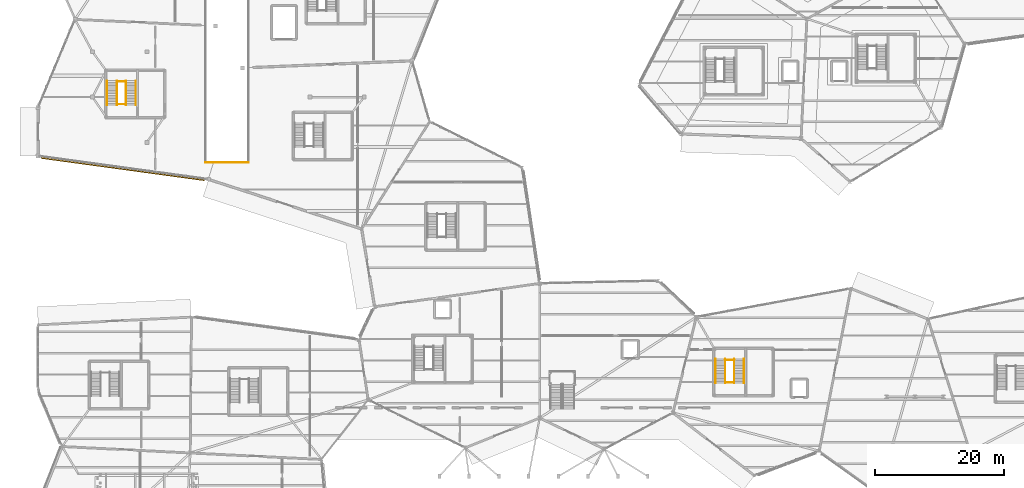
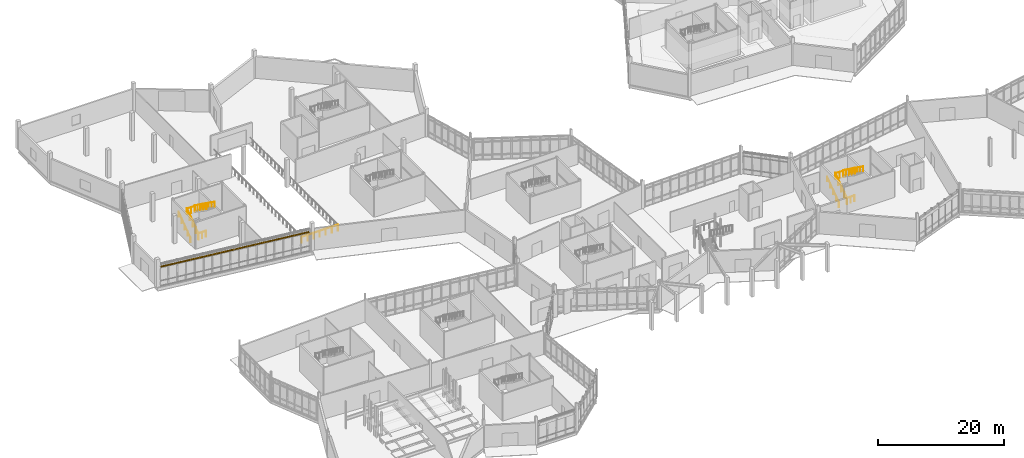
# One storey, part 111 of 113: 13 railings, 1 shading device.
"""IFC4 building model written with IfcOpenShell, lengths in metres."""

from ifc_helpers import new_model, si_unit, direction, frame, origin, origin_2d, place, context, subcontext, project, spatial, rectangle, circle, extrude, material, layer, layer_set, type_object, element, save


model = new_model("IFC4")

# Units and contexts
model_context = context("Model", 3, precision=1e-05, world=origin(), true_north=direction((0.0, 1.0)))
body_context = subcontext(model_context, "Body", "Model", "MODEL_VIEW")
ifc_project = project(units=[si_unit("LENGTHUNIT", "METRE"), si_unit("AREAUNIT", "SQUARE_METRE"), si_unit("VOLUMEUNIT", "CUBIC_METRE"), si_unit("PLANEANGLEUNIT", "RADIAN"), si_unit("MASSUNIT", "GRAM", prefix="KILO")], contexts=[model_context])

# Site, building, storey
site_placement = place(None, origin())
site = spatial("IfcSite", under=ifc_project, at=site_placement, CompositionType="ELEMENT")
building_placement = place(site_placement, origin())
building = spatial("IfcBuilding", under=site, at=building_placement, Name="Tameran Prism Museum", CompositionType="ELEMENT")
storey_placement = place(building_placement, origin())
storey = spatial("IfcBuildingStorey", under=building, at=storey_placement, Name="L00", CompositionType="ELEMENT", Elevation=0.0)

# Railings
ifc_material_1 = material(Name="Marine Stainless Steel 316", Category="steel")
ifc_layer_1 = layer(ifc_material_1, 0.054931640625)
ifc_layer_set_1 = layer_set([ifc_layer_1])
railing_type_1 = type_object("IfcRailingType", Name="RL-GR-1120", PredefinedType="GUARDRAIL", material=ifc_layer_set_1)
railing_1_placement = place(storey_placement, frame((106.18994140625, 32.89990234375, 0.0)))
element("IfcRailing", 1, at=railing_1_placement, inside=storey, type_object=railing_type_1, Name="Stair Well Slot Guard GR-S124", PredefinedType="GUARDRAIL", context=body_context, shape_type="SweptSolid", body=[
    extrude(circle(Radius=0.02392578125, at=origin_2d()), frame((0.0, 0.0, 1.1259765625), z_axis=(1.0, 0.0, 0.0), x_axis=(0.0, 1.0, 0.0)), (0.0, 0.0, 1.0), 1.3701171875),
    extrude(circle(Radius=0.02099609375, at=origin_2d()), origin(), (0.0, 0.0, 1.0), 1.101806640625),
    extrude(circle(Radius=0.02099609375, at=origin_2d()), frame((0.68505859375, 0.0, 0.0)), (0.0, 0.0, 1.0), 1.101806640625),
    extrude(circle(Radius=0.02099609375, at=origin_2d()), frame((1.3701171875, 0.0, 0.0)), (0.0, 0.0, 1.0), 1.101806640625),
])
railing_2_placement = place(storey_placement, frame((106.169921875, 32.780029296875, 0.0)))
element("IfcRailing", 2, at=railing_2_placement, inside=storey, type_object=railing_type_1, Name="Stair Well Guardrail GR-S125", PredefinedType="GUARDRAIL", context=body_context, shape_type="SweptSolid", body=[
    extrude(circle(Radius=0.02392578125, at=origin_2d()), frame((0.0, 0.0, 1.1259765625), z_axis=(0.0, 0.811539352079, 0.584297766578), x_axis=(-1.0, 0.0, 0.0)), (0.0, 0.0, 1.0), 4.620849609375),
    extrude(circle(Radius=0.02099609375, at=origin_2d()), origin(), (0.0, 0.0, 1.0), 1.101806640625),
    extrude(circle(Radius=0.02099609375, at=origin_2d()), frame((0.0, 0.9375, 0.675048828125)), (0.0, 0.0, 1.0), 1.101806640625),
    extrude(circle(Radius=0.02099609375, at=origin_2d()), frame((0.0, 1.875, 1.35009765625)), (0.0, 0.0, 1.0), 1.101806640625),
    extrude(circle(Radius=0.02099609375, at=origin_2d()), frame((0.0, 2.8125, 2.02490234375)), (0.0, 0.0, 1.0), 1.101806640625),
    extrude(circle(Radius=0.02099609375, at=origin_2d()), frame((0.0, 3.75, 2.699951171875)), (0.0, 0.0, 1.0), 1.101806640625),
])
railing_3_placement = place(storey_placement, frame((107.580078125, 36.530029296875, 2.699951171875)))
element("IfcRailing", 3, at=railing_3_placement, inside=storey, type_object=railing_type_1, Name="Stair Well Guardrail GR-S126", PredefinedType="GUARDRAIL", context=body_context, shape_type="SweptSolid", body=[
    extrude(circle(Radius=0.02392578125, at=origin_2d()), frame((0.0, 0.0, 1.1259765625), z_axis=(0.0, -0.811539352079, 0.584297766578), x_axis=(1.0, 0.0, 0.0)), (0.0, 0.0, 1.0), 4.620849609375),
    extrude(circle(Radius=0.02099609375, at=origin_2d()), origin(), (0.0, 0.0, 1.0), 1.101806640625),
    extrude(circle(Radius=0.02099609375, at=origin_2d()), frame((0.0, -0.9375, 0.675048828125)), (0.0, 0.0, 1.0), 1.101806640625),
    extrude(circle(Radius=0.02099609375, at=origin_2d()), frame((0.0, -1.875, 1.35009765625)), (0.0, 0.0, 1.0), 1.101806640625),
    extrude(circle(Radius=0.02099609375, at=origin_2d()), frame((0.0, -2.8125, 2.02490234375)), (0.0, 0.0, 1.0), 1.101806640625),
    extrude(circle(Radius=0.02099609375, at=origin_2d()), frame((0.0, -3.75, 2.699951171875)), (0.0, 0.0, 1.0), 1.101806640625),
])
railing_4_placement = place(storey_placement, frame((106.14990234375, 36.389892578125, 2.699951171875)))
element("IfcRailing", 4, at=railing_4_placement, inside=storey, type_object=railing_type_1, Name="Landing Well Guardrail GR-S127", PredefinedType="GUARDRAIL", context=body_context, shape_type="SweptSolid", body=[
    extrude(circle(Radius=0.02392578125, at=origin_2d()), frame((0.0, 0.0, 1.1259765625), z_axis=(1.0, 0.0, 0.0), x_axis=(0.0, 1.0, 0.0)), (0.0, 0.0, 1.0), 1.4501953125),
    extrude(circle(Radius=0.02099609375, at=origin_2d()), origin(), (0.0, 0.0, 1.0), 1.101806640625),
    extrude(circle(Radius=0.02099609375, at=origin_2d()), frame((0.72509765625, 0.0, 0.0)), (0.0, 0.0, 1.0), 1.101806640625),
    extrude(circle(Radius=0.02099609375, at=origin_2d()), frame((1.4501953125, 0.0, 0.0)), (0.0, 0.0, 1.0), 1.101806640625),
])
railing_5_placement = place(storey_placement, frame((12.18994140625, 75.89990234375, 0.0)))
element("IfcRailing", 5, at=railing_5_placement, inside=storey, type_object=railing_type_1, Name="Stair Well Slot Guard GR-S164", PredefinedType="GUARDRAIL", context=body_context, shape_type="SweptSolid", body=[
    extrude(circle(Radius=0.02392578125, at=origin_2d()), frame((0.0, 0.0, 1.1259765625), z_axis=(1.0, 0.0, 0.0), x_axis=(0.0, 1.0, 0.0)), (0.0, 0.0, 1.0), 1.3701171875),
    extrude(circle(Radius=0.02099609375, at=origin_2d()), origin(), (0.0, 0.0, 1.0), 1.101806640625),
    extrude(circle(Radius=0.02099609375, at=origin_2d()), frame((0.68505859375, 0.0, 0.0)), (0.0, 0.0, 1.0), 1.101806640625),
    extrude(circle(Radius=0.02099609375, at=origin_2d()), frame((1.3701171875, 0.0, 0.0)), (0.0, 0.0, 1.0), 1.101806640625),
])
railing_6_placement = place(storey_placement, frame((12.169921875, 75.780029296875, 0.0)))
element("IfcRailing", 6, at=railing_6_placement, inside=storey, type_object=railing_type_1, Name="Stair Well Guardrail GR-S165", PredefinedType="GUARDRAIL", context=body_context, shape_type="SweptSolid", body=[
    extrude(circle(Radius=0.02392578125, at=origin_2d()), frame((0.0, 0.0, 1.1259765625), z_axis=(0.0, 0.811539352079, 0.584297766578), x_axis=(-1.0, 0.0, 0.0)), (0.0, 0.0, 1.0), 4.620849609375),
    extrude(circle(Radius=0.02099609375, at=origin_2d()), origin(), (0.0, 0.0, 1.0), 1.101806640625),
    extrude(circle(Radius=0.02099609375, at=origin_2d()), frame((0.0, 0.9375, 0.675048828125)), (0.0, 0.0, 1.0), 1.101806640625),
    extrude(circle(Radius=0.02099609375, at=origin_2d()), frame((0.0, 1.875, 1.35009765625)), (0.0, 0.0, 1.0), 1.101806640625),
    extrude(circle(Radius=0.02099609375, at=origin_2d()), frame((0.0, 2.8125, 2.02490234375)), (0.0, 0.0, 1.0), 1.101806640625),
    extrude(circle(Radius=0.02099609375, at=origin_2d()), frame((0.0, 3.75, 2.699951171875)), (0.0, 0.0, 1.0), 1.101806640625),
])
railing_7_placement = place(storey_placement, frame((13.580078125, 79.530029296875, 2.699951171875)))
element("IfcRailing", 7, at=railing_7_placement, inside=storey, type_object=railing_type_1, Name="Stair Well Guardrail GR-S166", PredefinedType="GUARDRAIL", context=body_context, shape_type="SweptSolid", body=[
    extrude(circle(Radius=0.02392578125, at=origin_2d()), frame((0.0, 0.0, 1.1259765625), z_axis=(0.0, -0.811539352079, 0.584297766578), x_axis=(1.0, 0.0, 0.0)), (0.0, 0.0, 1.0), 4.620849609375),
    extrude(circle(Radius=0.02099609375, at=origin_2d()), origin(), (0.0, 0.0, 1.0), 1.101806640625),
    extrude(circle(Radius=0.02099609375, at=origin_2d()), frame((0.0, -0.9375, 0.675048828125)), (0.0, 0.0, 1.0), 1.101806640625),
    extrude(circle(Radius=0.02099609375, at=origin_2d()), frame((0.0, -1.875, 1.35009765625)), (0.0, 0.0, 1.0), 1.101806640625),
    extrude(circle(Radius=0.02099609375, at=origin_2d()), frame((0.0, -2.8125, 2.02490234375)), (0.0, 0.0, 1.0), 1.101806640625),
    extrude(circle(Radius=0.02099609375, at=origin_2d()), frame((0.0, -3.75, 2.699951171875)), (0.0, 0.0, 1.0), 1.101806640625),
])
railing_8_placement = place(storey_placement, frame((12.14990234375, 79.389892578125, 2.699951171875)))
element("IfcRailing", 8, at=railing_8_placement, inside=storey, type_object=railing_type_1, Name="Landing Well Guardrail GR-S167", PredefinedType="GUARDRAIL", context=body_context, shape_type="SweptSolid", body=[
    extrude(circle(Radius=0.02392578125, at=origin_2d()), frame((0.0, 0.0, 1.1259765625), z_axis=(1.0, 0.0, 0.0), x_axis=(0.0, 1.0, 0.0)), (0.0, 0.0, 1.0), 1.4501953125),
    extrude(circle(Radius=0.02099609375, at=origin_2d()), origin(), (0.0, 0.0, 1.0), 1.101806640625),
    extrude(circle(Radius=0.02099609375, at=origin_2d()), frame((0.72509765625, 0.0, 0.0)), (0.0, 0.0, 1.0), 1.101806640625),
    extrude(circle(Radius=0.02099609375, at=origin_2d()), frame((1.4501953125, 0.0, 0.0)), (0.0, 0.0, 1.0), 1.101806640625),
])
railing_9_placement = place(storey_placement, frame((25.8798828125, 66.8798828125, 0.0)))
element("IfcRailing", 9, at=railing_9_placement, inside=storey, type_object=railing_type_1, Name="Ramp Void Guardrail GR-R03", PredefinedType="GUARDRAIL", context=body_context, shape_type="SweptSolid", body=[
    extrude(circle(Radius=0.02392578125, at=origin_2d()), frame((0.0, 0.0, 1.1259765625), z_axis=(1.0, 0.0, 0.0), x_axis=(0.0, 1.0, 0.0)), (0.0, 0.0, 1.0), 6.64013671875),
    extrude(circle(Radius=0.02099609375, at=origin_2d()), origin(), (0.0, 0.0, 1.0), 1.101806640625),
    extrude(circle(Radius=0.02099609375, at=origin_2d()), frame((1.106689453125, 0.0, 0.0)), (0.0, 0.0, 1.0), 1.101806640625),
    extrude(circle(Radius=0.02099609375, at=origin_2d()), frame((2.21337890625, 0.0, 0.0)), (0.0, 0.0, 1.0), 1.101806640625),
    extrude(circle(Radius=0.02099609375, at=origin_2d()), frame((3.320068359375, 0.0, 0.0)), (0.0, 0.0, 1.0), 1.101806640625),
    extrude(circle(Radius=0.02099609375, at=origin_2d()), frame((4.4267578125, 0.0, 0.0)), (0.0, 0.0, 1.0), 1.101806640625),
    extrude(circle(Radius=0.02099609375, at=origin_2d()), frame((5.533447265625, 0.0, 0.0)), (0.0, 0.0, 1.0), 1.101806640625),
    extrude(circle(Radius=0.02099609375, at=origin_2d()), frame((6.64013671875, 0.0, 0.0)), (0.0, 0.0, 1.0), 1.101806640625),
])
ifc_material_2 = material(Name="Brushed Stainless Steel 316", Category="steel")
ifc_layer_2 = layer(ifc_material_2, 0.048095703125)
ifc_layer_set_2 = layer_set([ifc_layer_2])
railing_type_2 = type_object("IfcRailingType", Name="RL-HR-920", PredefinedType="HANDRAIL", material=ifc_layer_set_2)
railing_10_placement = place(storey_placement, frame((104.659912109375, 32.780029296875, 0.0)))
element("IfcRailing", 10, at=railing_10_placement, inside=storey, type_object=railing_type_2, Name="Stair Flight Handrail HR-063", PredefinedType="HANDRAIL", context=body_context, shape_type="SweptSolid", body=[
    extrude(circle(Radius=0.02392578125, at=origin_2d()), frame((0.0, 0.0, 0.89599609375), z_axis=(0.0, 0.811539352079, 0.584297766578), x_axis=(-1.0, 0.0, 0.0)), (0.0, 0.0, 1.0), 4.620849609375),
    extrude(circle(Radius=0.02099609375, at=origin_2d()), origin(), (0.0, 0.0, 1.0), 0.871826171875),
    extrude(circle(Radius=0.02099609375, at=origin_2d()), frame((0.0, 0.9375, 0.675048828125)), (0.0, 0.0, 1.0), 0.871826171875),
    extrude(circle(Radius=0.02099609375, at=origin_2d()), frame((0.0, 1.875, 1.35009765625)), (0.0, 0.0, 1.0), 0.871826171875),
    extrude(circle(Radius=0.02099609375, at=origin_2d()), frame((0.0, 2.8125, 2.02490234375)), (0.0, 0.0, 1.0), 0.871826171875),
    extrude(circle(Radius=0.02099609375, at=origin_2d()), frame((0.0, 3.75, 2.699951171875)), (0.0, 0.0, 1.0), 0.871826171875),
])
railing_11_placement = place(storey_placement, frame((109.090087890625, 36.530029296875, 2.699951171875)))
element("IfcRailing", 11, at=railing_11_placement, inside=storey, type_object=railing_type_2, Name="Stair Flight Handrail HR-064", PredefinedType="HANDRAIL", context=body_context, shape_type="SweptSolid", body=[
    extrude(circle(Radius=0.02392578125, at=origin_2d()), frame((0.0, 0.0, 0.89599609375), z_axis=(0.0, -0.811539352079, 0.584297766578), x_axis=(1.0, 0.0, 0.0)), (0.0, 0.0, 1.0), 4.620849609375),
    extrude(circle(Radius=0.02099609375, at=origin_2d()), origin(), (0.0, 0.0, 1.0), 0.871826171875),
    extrude(circle(Radius=0.02099609375, at=origin_2d()), frame((0.0, -0.9375, 0.675048828125)), (0.0, 0.0, 1.0), 0.871826171875),
    extrude(circle(Radius=0.02099609375, at=origin_2d()), frame((0.0, -1.875, 1.35009765625)), (0.0, 0.0, 1.0), 0.871826171875),
    extrude(circle(Radius=0.02099609375, at=origin_2d()), frame((0.0, -2.8125, 2.02490234375)), (0.0, 0.0, 1.0), 0.871826171875),
    extrude(circle(Radius=0.02099609375, at=origin_2d()), frame((0.0, -3.75, 2.699951171875)), (0.0, 0.0, 1.0), 0.871826171875),
])
railing_12_placement = place(storey_placement, frame((10.659912109375, 75.780029296875, 0.0)))
element("IfcRailing", 12, at=railing_12_placement, inside=storey, type_object=railing_type_2, Name="Stair Flight Handrail HR-083", PredefinedType="HANDRAIL", context=body_context, shape_type="SweptSolid", body=[
    extrude(circle(Radius=0.02392578125, at=origin_2d()), frame((0.0, 0.0, 0.89599609375), z_axis=(0.0, 0.811539352079, 0.584297766578), x_axis=(-1.0, 0.0, 0.0)), (0.0, 0.0, 1.0), 4.620849609375),
    extrude(circle(Radius=0.02099609375, at=origin_2d()), origin(), (0.0, 0.0, 1.0), 0.871826171875),
    extrude(circle(Radius=0.02099609375, at=origin_2d()), frame((0.0, 0.9375, 0.675048828125)), (0.0, 0.0, 1.0), 0.871826171875),
    extrude(circle(Radius=0.02099609375, at=origin_2d()), frame((0.0, 1.875, 1.35009765625)), (0.0, 0.0, 1.0), 0.871826171875),
    extrude(circle(Radius=0.02099609375, at=origin_2d()), frame((0.0, 2.8125, 2.02490234375)), (0.0, 0.0, 1.0), 0.871826171875),
    extrude(circle(Radius=0.02099609375, at=origin_2d()), frame((0.0, 3.75, 2.699951171875)), (0.0, 0.0, 1.0), 0.871826171875),
])
railing_13_placement = place(storey_placement, frame((15.090087890625, 79.530029296875, 2.699951171875)))
element("IfcRailing", 13, at=railing_13_placement, inside=storey, type_object=railing_type_2, Name="Stair Flight Handrail HR-084", PredefinedType="HANDRAIL", context=body_context, shape_type="SweptSolid", body=[
    extrude(circle(Radius=0.02392578125, at=origin_2d()), frame((0.0, 0.0, 0.89599609375), z_axis=(0.0, -0.811539352079, 0.584297766578), x_axis=(1.0, 0.0, 0.0)), (0.0, 0.0, 1.0), 4.620849609375),
    extrude(circle(Radius=0.02099609375, at=origin_2d()), origin(), (0.0, 0.0, 1.0), 0.871826171875),
    extrude(circle(Radius=0.02099609375, at=origin_2d()), frame((0.0, -0.9375, 0.675048828125)), (0.0, 0.0, 1.0), 0.871826171875),
    extrude(circle(Radius=0.02099609375, at=origin_2d()), frame((0.0, -1.875, 1.35009765625)), (0.0, 0.0, 1.0), 0.871826171875),
    extrude(circle(Radius=0.02099609375, at=origin_2d()), frame((0.0, -2.8125, 2.02490234375)), (0.0, 0.0, 1.0), 0.871826171875),
    extrude(circle(Radius=0.02099609375, at=origin_2d()), frame((0.0, -3.75, 2.699951171875)), (0.0, 0.0, 1.0), 0.871826171875),
])

# Shading device
ifc_material_3 = material(Name="Anodised Aluminium Alloy 6063-T6", Category="aluminium")
ifc_layer_3 = layer(ifc_material_3, 0.044921875)
ifc_layer_set_3 = layer_set([ifc_layer_3])
shading_device_type = type_object("IfcShadingDeviceType", Name="SH-JAL-240", PredefinedType="JALOUSIE", material=ifc_layer_set_3)
shading_device_placement = place(storey_placement, frame((13.095947265625, 65.926025390625, 3.739990234375), z_axis=(0.0, 0.0, 1.0), x_axis=(-0.990771512217, 0.135542652249, 0.0)))
element("IfcShadingDevice", 14, at=shading_device_placement, inside=storey, type_object=shading_device_type, Name="Monsoon Storm Louvre SLV-016", PredefinedType="JALOUSIE", context=body_context, shape_type="SweptSolid", body=[
    extrude(rectangle(XDim=25.385986328125, YDim=0.260009765625, at=origin_2d()), origin(), (0.0, 0.0, 1.0), 0.06005859375),
])

save(model, "model.ifc")
